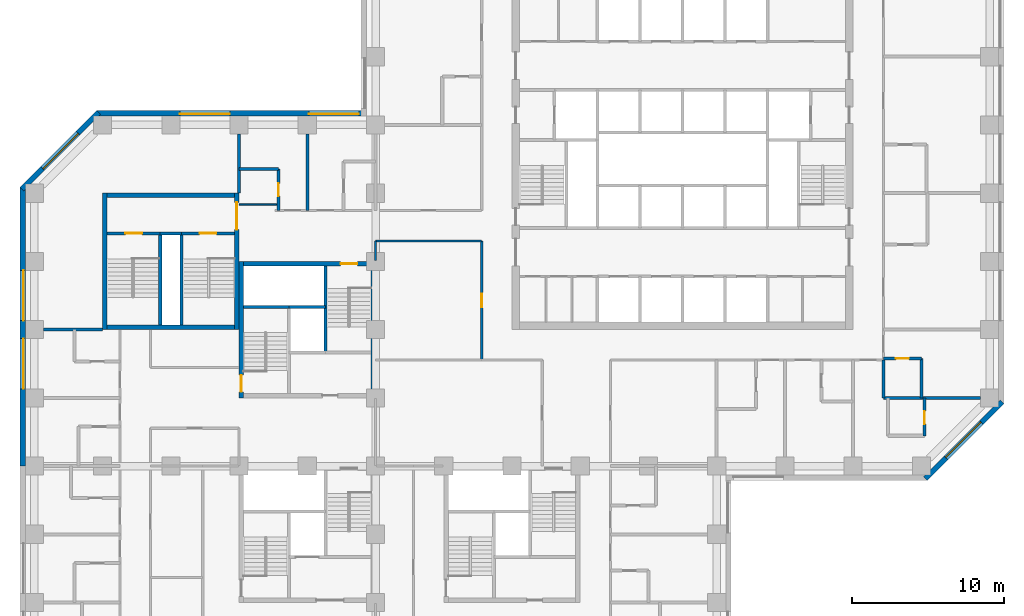
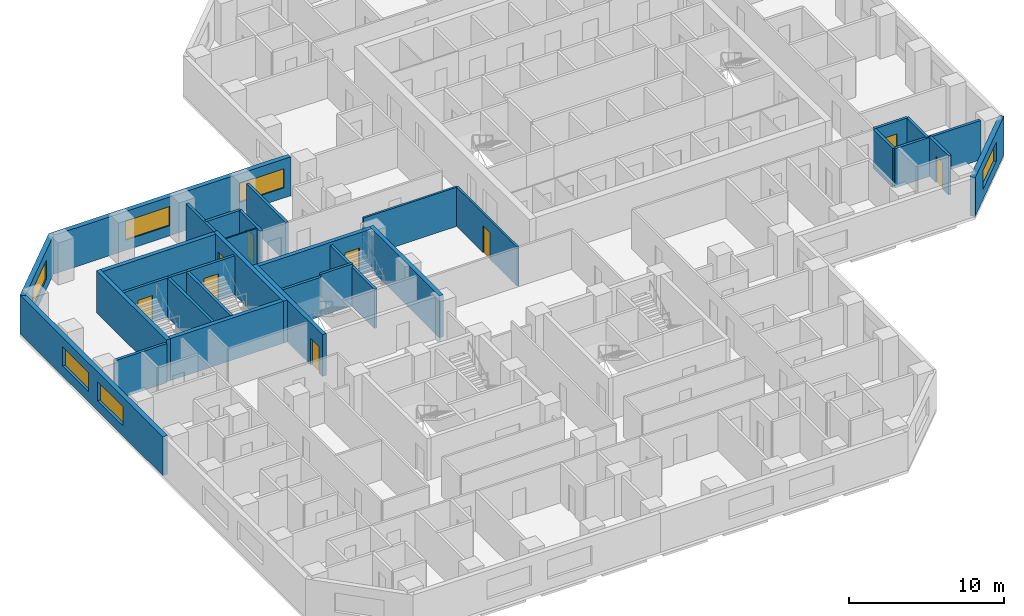
# One storey, part 6 of 12: 33 walls, 9 doors, 6 windows, 15 openings.
"""IFC4 building model written with IfcOpenShell, lengths in metres."""

from ifc_helpers import new_model, si_unit, direction, frame, frame_2d, origin, place, context, subcontext, project, spatial, rectangle, extrude, material, layer, layer_set, constituent, constituent_set, type_object, element, fill, save


model = new_model("IFC4")

# Units and contexts
model_context = context("Model", 3, precision=1e-05, world=origin(), true_north=direction((0.0, 1.0)))
body_context = subcontext(model_context, "Body", "Model", "MODEL_VIEW")
ifc_project = project(units=[si_unit("LENGTHUNIT", "METRE"), si_unit("AREAUNIT", "SQUARE_METRE"), si_unit("VOLUMEUNIT", "CUBIC_METRE"), si_unit("PLANEANGLEUNIT", "RADIAN"), si_unit("MASSUNIT", "GRAM", prefix="KILO")], contexts=[model_context])

# Site, building, storey
site_placement = place(None, origin())
site = spatial("IfcSite", under=ifc_project, at=site_placement, CompositionType="ELEMENT")
building_placement = place(site_placement, origin())
building = spatial("IfcBuilding", under=site, at=building_placement, Name="Quoin Convention Tower", CompositionType="ELEMENT")
storey_placement = place(building_placement, frame((0.0, 0.0, 59.39990234375)))
storey = spatial("IfcBuildingStorey", under=building, at=storey_placement, Name="L15", CompositionType="ELEMENT", Elevation=59.39990234375)

# Wall, opening, window
ifc_material_1 = material(Name="Brick masonry", Category="masonry")
ifc_layer_1 = layer(ifc_material_1, 0.35009765625)
ifc_layer_set_1 = layer_set([ifc_layer_1], Name="Brick masonry")
wall_type_1 = type_object("IfcWallType", Name="Brick facade wall", PredefinedType="STANDARD", material=ifc_layer_set_1)
wall_1_placement = place(storey_placement, frame((72.269775390625, 39.673583984375, 0.0), z_axis=(0.0, 0.0, 1.0), x_axis=(0.707106781187, 0.707106781187, 0.0)))
wall_1 = element("IfcWall", 1, at=wall_1_placement, inside=storey, type_object=wall_type_1, Name="fw-L15-72000_40500", PredefinedType="STANDARD", context=body_context, shape_type="SweptSolid", body=[
    extrude(rectangle(XDim=7.151123046875, YDim=0.35009765625, at=frame_2d((3.57568359375, 0.0))), origin(), (0.0, 0.0, 1.0), 3.05517578125),
])
opening_1_placement = place(wall_1_placement, frame((1.925537109375, 0.0, 0.800048828125)))
opening_1 = element("IfcOpeningElement", 2, at=opening_1_placement, cuts=wall_1, Name="Opening W-01", PredefinedType="OPENING", context=body_context, shape_type="SweptSolid", body=[
    extrude(rectangle(XDim=3.300048828125, YDim=1.5, at=frame_2d((1.64990234375, 0.75))), frame((0.0, 0.18505859375, 0.0), z_axis=(0.0, -1.0, 0.0), x_axis=(1.0, 0.0, 0.0)), (0.0, 0.0, 1.0), 0.3701171875),
])
ifc_material_2 = material(Name="Aluminium", Category="aluminium")
ifc_constituent_1 = constituent(ifc_material_2, Name="Frame")
ifc_material_3 = material(Name="Insulated glass", Category="glass")
ifc_constituent_2 = constituent(ifc_material_3, Name="Glazing")
ifc_constituent_set = constituent_set(constituents=[ifc_constituent_1, ifc_constituent_2], Name="Aluminium")
window_type = type_object("IfcWindowType", Name="Hotel strip window", PartitioningType="DOUBLE_PANEL_VERTICAL", PredefinedType="WINDOW", material=ifc_constituent_set)
window_1_placement = place(opening_1_placement, origin())
window_1 = element("IfcWindow", 3, at=window_1_placement, inside=storey, type_object=window_type, Name="win-L15-74798_42202", OverallHeight=1.5, OverallWidth=3.300048828125, PartitioningType="SINGLE_PANEL", PredefinedType="WINDOW", context=body_context, shape_type="SweptSolid", body=[
    extrude(rectangle(XDim=3.300048828125, YDim=1.5, at=frame_2d((1.64990234375, 0.75))), frame((0.0, 0.0849609375, 0.0), z_axis=(0.0, -1.0, 0.0), x_axis=(1.0, 0.0, 0.0)), (0.0, 0.0, 1.0), 0.06005859375),
])
fill(opening_1, window_1)

# Wall, openings, windows
wall_2_placement = place(storey_placement, frame((35.39990234375, 63.77490234375, 0.0), z_axis=(0.0, 0.0, 1.0), x_axis=(-1.0, 0.0, 0.0)))
wall_2 = element("IfcWall", 4, at=wall_2_placement, inside=storey, type_object=wall_type_1, Name="fw-L15-36000_63000", PredefinedType="STANDARD", context=body_context, shape_type="SweptSolid", body=[
    extrude(rectangle(XDim=17.79345703125, YDim=0.35009765625, at=frame_2d((8.896728515625, 0.0))), origin(), (0.0, 0.0, 1.0), 3.05517578125),
])
opening_2_placement = place(wall_2_placement, frame((0.5, 0.0, 0.800048828125)))
opening_2 = element("IfcOpeningElement", 5, at=opening_2_placement, cuts=wall_2, Name="Opening W-01", PredefinedType="OPENING", context=body_context, shape_type="SweptSolid", body=[
    extrude(rectangle(XDim=3.300048828125, YDim=1.5, at=frame_2d((1.64990234375, 0.75))), frame((0.0, 0.18505859375, 0.0), z_axis=(0.0, -1.0, 0.0), x_axis=(1.0, 0.0, 0.0)), (0.0, 0.0, 1.0), 0.3701171875),
])
opening_3_placement = place(wall_2_placement, frame((9.0, 0.0, 0.800048828125)))
opening_3 = element("IfcOpeningElement", 6, at=opening_3_placement, cuts=wall_2, Name="Opening W-01", PredefinedType="OPENING", context=body_context, shape_type="SweptSolid", body=[
    extrude(rectangle(XDim=3.300048828125, YDim=1.5, at=frame_2d((1.64990234375, 0.75))), frame((0.0, 0.18505859375, 0.0), z_axis=(0.0, -1.0, 0.0), x_axis=(1.0, 0.0, 0.0)), (0.0, 0.0, 1.0), 0.3701171875),
])
window_2_placement = place(opening_2_placement, origin())
window_2 = element("IfcWindow", 7, at=window_2_placement, inside=storey, type_object=window_type, Name="win-L15-33750_63775", OverallHeight=1.5, OverallWidth=3.300048828125, PartitioningType="SINGLE_PANEL", PredefinedType="WINDOW", context=body_context, shape_type="SweptSolid", body=[
    extrude(rectangle(XDim=3.300048828125, YDim=1.5, at=frame_2d((1.64990234375, 0.75))), frame((0.0, 0.0849609375, 0.0), z_axis=(0.0, -1.0, 0.0), x_axis=(1.0, 0.0, 0.0)), (0.0, 0.0, 1.0), 0.06005859375),
])
fill(opening_2, window_2)
window_3_placement = place(opening_3_placement, origin())
window_3 = element("IfcWindow", 8, at=window_3_placement, inside=storey, type_object=window_type, Name="win-L15-24750_63775", OverallHeight=1.5, OverallWidth=3.300048828125, PartitioningType="SINGLE_PANEL", PredefinedType="WINDOW", context=body_context, shape_type="SweptSolid", body=[
    extrude(rectangle(XDim=3.300048828125, YDim=1.5, at=frame_2d((1.64990234375, 0.75))), frame((0.0, 0.0849609375, 0.0), z_axis=(0.0, -1.0, 0.0), x_axis=(1.0, 0.0, 0.0)), (0.0, 0.0, 1.0), 0.06005859375),
])
fill(opening_3, window_3)

# Wall, opening, window
wall_3_placement = place(storey_placement, frame((17.730224609375, 63.826416015625, 0.0), z_axis=(0.0, 0.0, 1.0), x_axis=(-0.707106781187, -0.707106781187, 0.0)))
wall_3 = element("IfcWall", 9, at=wall_3_placement, inside=storey, type_object=wall_type_1, Name="fw-L15-18000_63000", PredefinedType="STANDARD", context=body_context, shape_type="SweptSolid", body=[
    extrude(rectangle(XDim=7.151123046875, YDim=0.35009765625, at=frame_2d((3.57568359375, 0.0))), origin(), (0.0, 0.0, 1.0), 3.05517578125),
])
opening_4_placement = place(wall_3_placement, frame((1.925537109375, 0.0, 0.800048828125)))
opening_4 = element("IfcOpeningElement", 10, at=opening_4_placement, cuts=wall_3, Name="Opening W-01", PredefinedType="OPENING", context=body_context, shape_type="SweptSolid", body=[
    extrude(rectangle(XDim=3.300048828125, YDim=1.5, at=frame_2d((1.64990234375, 0.75))), frame((0.0, 0.18505859375, 0.0), z_axis=(0.0, -1.0, 0.0), x_axis=(1.0, 0.0, 0.0)), (0.0, 0.0, 1.0), 0.3701171875),
])
window_4_placement = place(opening_4_placement, origin())
window_4 = element("IfcWindow", 11, at=window_4_placement, inside=storey, type_object=window_type, Name="win-L15-15202_61298", OverallHeight=1.5, OverallWidth=3.300048828125, PartitioningType="SINGLE_PANEL", PredefinedType="WINDOW", context=body_context, shape_type="SweptSolid", body=[
    extrude(rectangle(XDim=3.300048828125, YDim=1.5, at=frame_2d((1.64990234375, 0.75))), frame((0.0, 0.0849609375, 0.0), z_axis=(0.0, -1.0, 0.0), x_axis=(1.0, 0.0, 0.0)), (0.0, 0.0, 1.0), 0.06005859375),
])
fill(opening_4, window_4)

# Wall, openings, windows
wall_4_placement = place(storey_placement, frame((12.72509765625, 58.8935546875, 0.0), z_axis=(0.0, 0.0, 1.0), x_axis=(0.0, -1.0, 0.0)))
wall_4 = element("IfcWall", 12, at=wall_4_placement, inside=storey, type_object=wall_type_1, Name="fw-L15-13500_58500", PredefinedType="STANDARD", context=body_context, shape_type="SweptSolid", body=[
    extrude(rectangle(XDim=18.3935546875, YDim=0.35009765625, at=frame_2d((9.19677734375, 0.0))), origin(), (0.0, 0.0, 1.0), 3.05517578125),
])
opening_5_placement = place(wall_4_placement, frame((5.493408203125, 0.0, 0.800048828125)))
opening_5 = element("IfcOpeningElement", 13, at=opening_5_placement, cuts=wall_4, Name="Opening W-01", PredefinedType="OPENING", context=body_context, shape_type="SweptSolid", body=[
    extrude(rectangle(XDim=3.300048828125, YDim=1.5, at=frame_2d((1.64990234375, 0.75))), frame((0.0, 0.18505859375, 0.0), z_axis=(0.0, -1.0, 0.0), x_axis=(1.0, 0.0, 0.0)), (0.0, 0.0, 1.0), 0.3701171875),
])
opening_6_placement = place(wall_4_placement, frame((9.993408203125, 0.0, 0.800048828125)))
opening_6 = element("IfcOpeningElement", 14, at=opening_6_placement, cuts=wall_4, Name="Opening W-01", PredefinedType="OPENING", context=body_context, shape_type="SweptSolid", body=[
    extrude(rectangle(XDim=3.300048828125, YDim=1.5, at=frame_2d((1.64990234375, 0.75))), frame((0.0, 0.18505859375, 0.0), z_axis=(0.0, -1.0, 0.0), x_axis=(1.0, 0.0, 0.0)), (0.0, 0.0, 1.0), 0.3701171875),
])
window_5_placement = place(opening_5_placement, origin())
window_5 = element("IfcWindow", 15, at=window_5_placement, inside=storey, type_object=window_type, Name="win-L15-12725_51750", OverallHeight=1.5, OverallWidth=3.300048828125, PartitioningType="SINGLE_PANEL", PredefinedType="WINDOW", context=body_context, shape_type="SweptSolid", body=[
    extrude(rectangle(XDim=3.300048828125, YDim=1.5, at=frame_2d((1.64990234375, 0.75))), frame((0.0, 0.0849609375, 0.0), z_axis=(0.0, -1.0, 0.0), x_axis=(1.0, 0.0, 0.0)), (0.0, 0.0, 1.0), 0.06005859375),
])
fill(opening_5, window_5)
window_6_placement = place(opening_6_placement, origin())
window_6 = element("IfcWindow", 16, at=window_6_placement, inside=storey, type_object=window_type, Name="win-L15-12725_47250", OverallHeight=1.5, OverallWidth=3.300048828125, PartitioningType="SINGLE_PANEL", PredefinedType="WINDOW", context=body_context, shape_type="SweptSolid", body=[
    extrude(rectangle(XDim=3.300048828125, YDim=1.5, at=frame_2d((1.64990234375, 0.75))), frame((0.0, 0.0849609375, 0.0), z_axis=(0.0, -1.0, 0.0), x_axis=(1.0, 0.0, 0.0)), (0.0, 0.0, 1.0), 0.06005859375),
])
fill(opening_6, window_6)

# Walls
ifc_material_4 = material(Name="Concrete C50", Category="concrete")
ifc_layer_2 = layer(ifc_material_4, 0.199951171875)
ifc_layer_set_2 = layer_set([ifc_layer_2], Name="Concrete C50")
wall_type_2 = type_object("IfcWallType", Name="Core shaft wall", PredefinedType="SOLIDWALL", material=ifc_layer_set_2)
wall_5_placement = place(storey_placement, frame((27.300048828125, 51.0, 0.0), z_axis=(0.0, 0.0, 1.0), x_axis=(1.0, 0.0, 0.0)))
element("IfcWall", 17, at=wall_5_placement, inside=storey, type_object=wall_type_2, Name="cr-P2-L15-h6000_300", PredefinedType="SOLIDWALL", context=body_context, shape_type="SweptSolid", body=[
    extrude(rectangle(XDim=3.0, YDim=0.199951171875, at=frame_2d((1.5, 0.0))), origin(), (0.0, 0.0, 1.0), 3.080078125),
])
wall_6_placement = place(storey_placement, frame((32.699951171875, 48.0, 0.0), z_axis=(0.0, 0.0, 1.0), x_axis=(0.0, 1.0, 0.0)))
element("IfcWall", 18, at=wall_6_placement, inside=storey, type_object=wall_type_2, Name="cr-P2-L15-v5700_3000", PredefinedType="SOLIDWALL", context=body_context, shape_type="SweptSolid", body=[
    extrude(rectangle(XDim=5.699951171875, YDim=0.199951171875, at=frame_2d((2.85009765625, 0.0))), origin(), (0.0, 0.0, 1.0), 3.080078125),
])
wall_7_placement = place(storey_placement, frame((21.800048828125, 55.85009765625, 0.0), z_axis=(0.0, 0.0, 1.0), x_axis=(1.0, 0.0, 0.0)))
element("IfcWall", 19, at=wall_7_placement, inside=storey, type_object=wall_type_2, Name="cr-P6-L15-h6350_3800", PredefinedType="SOLIDWALL", context=body_context, shape_type="SweptSolid", body=[
    extrude(rectangle(XDim=1.39990234375, YDim=0.199951171875, at=frame_2d((0.699951171875, 0.0))), origin(), (0.0, 0.0, 1.0), 3.080078125),
])

# Wall, opening, door
wall_8_placement = place(storey_placement, frame((18.300048828125, 55.85009765625, 0.0), z_axis=(0.0, 0.0, 1.0), x_axis=(1.0, 0.0, 0.0)))
wall_8 = element("IfcWall", 20, at=wall_8_placement, inside=storey, type_object=wall_type_2, Name="cr-P6-L15-h6350_300", PredefinedType="SOLIDWALL", context=body_context, shape_type="SweptSolid", body=[
    extrude(rectangle(XDim=3.5, YDim=0.199951171875, at=frame_2d((1.75, 0.0))), origin(), (0.0, 0.0, 1.0), 3.080078125),
])
opening_7_placement = place(wall_8_placement, frame((1.199951171875, 0.0, 0.0)))
opening_7 = element("IfcOpeningElement", 21, at=opening_7_placement, cuts=wall_8, Name="Opening SD11", PredefinedType="OPENING", context=body_context, shape_type="SweptSolid", body=[
    extrude(rectangle(XDim=1.10009765625, YDim=2.10009765625, at=frame_2d((0.550048828125, 1.050048828125))), frame((0.0, 0.10986328125, 0.0), z_axis=(0.0, -1.0, 0.0), x_axis=(1.0, 0.0, 0.0)), (0.0, 0.0, 1.0), 0.219970703125),
])
ifc_material_5 = material(Name="Steel door leaf", Category="steel")
door_type_1 = type_object("IfcDoorType", Name="Stair door 1100 x 2100", OperationType="SINGLE_SWING_RIGHT", PredefinedType="DOOR", material=ifc_material_5)
door_1_placement = place(opening_7_placement, origin())
door_1 = element("IfcDoor", 22, at=door_1_placement, inside=storey, type_object=door_type_1, Name="cd-P6-L15-SA-R2-SD11", OperationType="SINGLE_SWING_RIGHT", OverallHeight=2.10009765625, OverallWidth=1.10009765625, PredefinedType="DOOR", context=body_context, shape_type="SweptSolid", body=[
    extrude(rectangle(XDim=1.10009765625, YDim=2.10009765625, at=frame_2d((0.550048828125, 1.050048828125))), frame((0.0, 0.02490234375, 0.0), z_axis=(0.0, -1.0, 0.0), x_axis=(1.0, 0.0, 0.0)), (0.0, 0.0, 1.0), 0.050048828125),
])
fill(opening_7, door_1)

wall_9_placement = place(storey_placement, frame((23.199951171875, 55.85009765625, 0.0), z_axis=(0.0, 0.0, 1.0), x_axis=(1.0, 0.0, 0.0)))
wall_9 = element("IfcWall", 23, at=wall_9_placement, inside=storey, type_object=wall_type_2, Name="cr-P6-L15-h6350_5200", PredefinedType="SOLIDWALL", context=body_context, shape_type="SweptSolid", body=[
    extrude(rectangle(XDim=3.5, YDim=0.199951171875, at=frame_2d((1.75, 0.0))), origin(), (0.0, 0.0, 1.0), 3.080078125),
])
opening_8_placement = place(wall_9_placement, frame((1.199951171875, 0.0, 0.0)))
opening_8 = element("IfcOpeningElement", 24, at=opening_8_placement, cuts=wall_9, Name="Opening SD12", PredefinedType="OPENING", context=body_context, shape_type="SweptSolid", body=[
    extrude(rectangle(XDim=1.10009765625, YDim=2.10009765625, at=frame_2d((0.550048828125, 1.050048828125))), frame((0.0, 0.10986328125, 0.0), z_axis=(0.0, -1.0, 0.0), x_axis=(1.0, 0.0, 0.0)), (0.0, 0.0, 1.0), 0.219970703125),
])
door_2_placement = place(opening_8_placement, origin())
door_2 = element("IfcDoor", 25, at=door_2_placement, inside=storey, type_object=door_type_1, Name="cd-P6-L15-SB-R2-SD12", OperationType="SINGLE_SWING_RIGHT", OverallHeight=2.10009765625, OverallWidth=1.10009765625, PredefinedType="DOOR", context=body_context, shape_type="SweptSolid", body=[
    extrude(rectangle(XDim=1.10009765625, YDim=2.10009765625, at=frame_2d((0.550048828125, 1.050048828125))), frame((0.0, 0.02490234375, 0.0), z_axis=(0.0, -1.0, 0.0), x_axis=(1.0, 0.0, 0.0)), (0.0, 0.0, 1.0), 0.050048828125),
])
fill(opening_8, door_2)

# Walls
for number, where, z_axis, x_axis, name in (
    (26, (21.800048828125, 49.800048828125, 0.0), (0.0, 0.0, 1.0), (0.0, 1.0, 0.0), "cr-P6-L15-v3800_300"),
    (27, (23.199951171875, 49.800048828125, 0.0), (0.0, 0.0, 1.0), (0.0, 1.0, 0.0), "cr-P6-L15-v5200_300"),
):
    element("IfcWall", number, at=place(storey_placement, frame(where, z_axis=z_axis, x_axis=x_axis)), inside=storey, type_object=wall_type_2, Name=name, PredefinedType="SOLIDWALL", context=body_context, shape_type="SweptSolid", body=[
        extrude(rectangle(XDim=6.050048828125, YDim=0.199951171875, at=frame_2d((3.02490234375, 0.0))), origin(), (0.0, 0.0, 1.0), 3.080078125),
    ])
ifc_layer_3 = layer(ifc_material_4, 0.199951171875)
ifc_layer_set_3 = layer_set([ifc_layer_3], Name="Concrete C50")
wall_type_3 = type_object("IfcWallType", Name="Core shaft wall to the floor level over", PredefinedType="SOLIDWALL", material=ifc_layer_set_3)
wall_10_placement = place(storey_placement, frame((30.300048828125, 51.0, 0.0), z_axis=(0.0, 0.0, 1.0), x_axis=(1.0, 0.0, 0.0)))
element("IfcWall", 28, at=wall_10_placement, inside=storey, type_object=wall_type_3, Name="cr-P2-L15-h6000_3300", PredefinedType="SOLIDWALL", context=body_context, shape_type="SweptSolid", body=[
    extrude(rectangle(XDim=2.39990234375, YDim=0.199951171875, at=frame_2d((1.199951171875, 0.0))), origin(), (0.0, 0.0, 1.0), 3.300048828125),
])

# Wall, opening, door
ifc_material_6 = material(Name="Concrete C80", Category="concrete")
ifc_layer_4 = layer(ifc_material_6, 0.300048828125)
ifc_layer_set_4 = layer_set([ifc_layer_4], Name="Concrete C80")
wall_type_4 = type_object("IfcWallType", Name="RC CORE WALL 300 C80", PredefinedType="SHEAR", material=ifc_layer_set_4)
wall_11_placement = place(storey_placement, frame((27.300048828125, 53.85009765625, 0.0), z_axis=(0.0, 0.0, 1.0), x_axis=(1.0, 0.0, 0.0)))
wall_11 = element("IfcWall", 29, at=wall_11_placement, inside=storey, type_object=wall_type_4, Name="cwl-P2-L15-N", PredefinedType="SHEAR", context=body_context, shape_type="SweptSolid", body=[
    extrude(rectangle(XDim=8.39990234375, YDim=0.300048828125, at=frame_2d((4.199951171875, 0.0))), origin(), (0.0, 0.0, 1.0), 3.300048828125),
])
opening_9_placement = place(wall_11_placement, frame((6.39990234375, 0.0, 0.0)))
opening_9 = element("IfcOpeningElement", 30, at=opening_9_placement, cuts=wall_11, Name="Opening SD4", PredefinedType="OPENING", context=body_context, shape_type="SweptSolid", body=[
    extrude(rectangle(XDim=1.10009765625, YDim=2.10009765625, at=frame_2d((0.550048828125, 1.050048828125))), frame((0.0, 0.159912109375, 0.0), z_axis=(0.0, -1.0, 0.0), x_axis=(1.0, 0.0, 0.0)), (0.0, 0.0, 1.0), 0.320068359375),
])
door_3_placement = place(opening_9_placement, frame((1.10009765625, 0.0, 0.0), z_axis=(0.0, 0.0, 1.0), x_axis=(-1.0, 0.0, 0.0)))
door_3 = element("IfcDoor", 31, at=door_3_placement, inside=storey, type_object=door_type_1, Name="cd-P2-L15-SB-N", OperationType="SINGLE_SWING_LEFT", OverallHeight=2.10009765625, OverallWidth=1.10009765625, PredefinedType="DOOR", context=body_context, shape_type="SweptSolid", body=[
    extrude(rectangle(XDim=1.10009765625, YDim=2.10009765625, at=frame_2d((0.550048828125, 1.050048828125))), frame((0.0, 0.02490234375, 0.0), z_axis=(0.0, -1.0, 0.0), x_axis=(1.0, 0.0, 0.0)), (0.0, 0.0, 1.0), 0.050048828125),
])
fill(opening_9, door_3)

wall_12_placement = place(storey_placement, frame((27.14990234375, 45.0, 0.0), z_axis=(0.0, 0.0, 1.0), x_axis=(0.0, 1.0, 0.0)))
wall_12 = element("IfcWall", 32, at=wall_12_placement, inside=storey, type_object=wall_type_4, Name="cwl-P2-L15-W", PredefinedType="SHEAR", context=body_context, shape_type="SweptSolid", body=[
    extrude(rectangle(XDim=9.0, YDim=0.300048828125, at=frame_2d((4.5, 0.0))), origin(), (0.0, 0.0, 1.0), 3.300048828125),
])
opening_10_placement = place(wall_12_placement, frame((0.39990234375, 0.0, 0.0)))
opening_10 = element("IfcOpeningElement", 33, at=opening_10_placement, cuts=wall_12, Name="Opening SD3", PredefinedType="OPENING", context=body_context, shape_type="SweptSolid", body=[
    extrude(rectangle(XDim=1.10009765625, YDim=2.10009765625, at=frame_2d((0.550048828125, 1.050048828125))), frame((0.0, 0.159912109375, 0.0), z_axis=(0.0, -1.0, 0.0), x_axis=(1.0, 0.0, 0.0)), (0.0, 0.0, 1.0), 0.320068359375),
])
door_4_placement = place(opening_10_placement, frame((1.10009765625, 0.0, 0.0), z_axis=(0.0, 0.0, 1.0), x_axis=(-1.0, 0.0, 0.0)))
door_4 = element("IfcDoor", 34, at=door_4_placement, inside=storey, type_object=door_type_1, Name="cd-P2-L15-SA-W", OperationType="SINGLE_SWING_RIGHT", OverallHeight=2.10009765625, OverallWidth=1.10009765625, PredefinedType="DOOR", context=body_context, shape_type="SweptSolid", body=[
    extrude(rectangle(XDim=1.10009765625, YDim=2.10009765625, at=frame_2d((0.550048828125, 1.050048828125))), frame((0.0, 0.02490234375, 0.0), z_axis=(0.0, -1.0, 0.0), x_axis=(1.0, 0.0, 0.0)), (0.0, 0.0, 1.0), 0.050048828125),
])
fill(opening_10, door_4)

# Walls
wall_13_placement = place(storey_placement, frame((35.85009765625, 45.0, 0.0), z_axis=(0.0, 0.0, 1.0), x_axis=(0.0, 1.0, 0.0)))
element("IfcWall", 35, at=wall_13_placement, inside=storey, type_object=wall_type_4, Name="cwl-P2-L15-E", PredefinedType="SHEAR", context=body_context, shape_type="SweptSolid", body=[
    extrude(rectangle(XDim=9.0, YDim=0.300048828125, at=frame_2d((4.5, 0.0))), origin(), (0.0, 0.0, 1.0), 3.300048828125),
])
for number, where, z_axis, x_axis, name in (
    (36, (18.300048828125, 49.64990234375, 0.0), (0.0, 0.0, 1.0), (1.0, 0.0, 0.0), "cwl-P6-L15-S"),
    (37, (18.300048828125, 58.35009765625, 0.0), (0.0, 0.0, 1.0), (1.0, 0.0, 0.0), "cwl-P6-L15-N"),
):
    element("IfcWall", number, at=place(storey_placement, frame(where, z_axis=z_axis, x_axis=x_axis)), inside=storey, type_object=wall_type_4, Name=name, PredefinedType="SHEAR", context=body_context, shape_type="SweptSolid", body=[
        extrude(rectangle(XDim=8.39990234375, YDim=0.300048828125, at=frame_2d((4.199951171875, 0.0))), origin(), (0.0, 0.0, 1.0), 3.300048828125),
    ])
wall_14_placement = place(storey_placement, frame((18.14990234375, 49.5, 0.0), z_axis=(0.0, 0.0, 1.0), x_axis=(0.0, 1.0, 0.0)))
element("IfcWall", 38, at=wall_14_placement, inside=storey, type_object=wall_type_4, Name="cwl-P6-L15-W", PredefinedType="SHEAR", context=body_context, shape_type="SweptSolid", body=[
    extrude(rectangle(XDim=9.0, YDim=0.300048828125, at=frame_2d((4.5, 0.0))), origin(), (0.0, 0.0, 1.0), 3.300048828125),
])

# Wall, opening, door
wall_15_placement = place(storey_placement, frame((26.85009765625, 49.5, 0.0), z_axis=(0.0, 0.0, 1.0), x_axis=(0.0, 1.0, 0.0)))
wall_15 = element("IfcWall", 39, at=wall_15_placement, inside=storey, type_object=wall_type_4, Name="cwl-P6-L15-E", PredefinedType="SHEAR", context=body_context, shape_type="SweptSolid", body=[
    extrude(rectangle(XDim=9.0, YDim=0.300048828125, at=frame_2d((4.5, 0.0))), origin(), (0.0, 0.0, 1.0), 3.300048828125),
])
opening_11_placement = place(wall_15_placement, frame((6.60009765625, 0.0, 0.0)))
opening_11 = element("IfcOpeningElement", 40, at=opening_11_placement, cuts=wall_15, Name="Opening DCV5-54", PredefinedType="OPENING", context=body_context, shape_type="SweptSolid", body=[
    extrude(rectangle(XDim=1.800048828125, YDim=2.10009765625, at=frame_2d((0.89990234375, 1.050048828125))), frame((0.0, 0.159912109375, 0.0), z_axis=(0.0, -1.0, 0.0), x_axis=(1.0, 0.0, 0.0)), (0.0, 0.0, 1.0), 0.320068359375),
])
door_type_2 = type_object("IfcDoorType", Name="Goods lobby door 1800 x 2100", OperationType="SINGLE_SWING_LEFT", PredefinedType="DOOR", material=ifc_material_5)
door_5_placement = place(opening_11_placement, origin())
door_5 = element("IfcDoor", 41, at=door_5_placement, inside=storey, type_object=door_type_2, Name="cd-P6-L15-R2-E", OperationType="SINGLE_SWING_LEFT", OverallHeight=2.10009765625, OverallWidth=1.800048828125, PredefinedType="DOOR", context=body_context, shape_type="SweptSolid", body=[
    extrude(rectangle(XDim=1.800048828125, YDim=2.10009765625, at=frame_2d((0.89990234375, 1.050048828125))), frame((0.0, 0.02490234375, 0.0), z_axis=(0.0, -1.0, 0.0), x_axis=(1.0, 0.0, 0.0)), (0.0, 0.0, 1.0), 0.050048828125),
])
fill(opening_11, door_5)

ifc_layer_5 = layer(ifc_material_4, 0.199951171875)
ifc_layer_set_5 = layer_set([ifc_layer_5], Name="Concrete C50")
wall_type_5 = type_object("IfcWallType", Name="RC party wall", PredefinedType="SOLIDWALL", material=ifc_layer_set_5)
wall_16_placement = place(storey_placement, frame((72.199951171875, 42.5, 0.0), z_axis=(0.0, 0.0, 1.0), x_axis=(0.0, 1.0, 0.0)))
wall_16 = element("IfcWall", 42, at=wall_16_placement, inside=storey, type_object=wall_type_5, Name="pw-L15-090", PredefinedType="SOLIDWALL", context=body_context, shape_type="SweptSolid", body=[
    extrude(rectangle(XDim=2.5, YDim=0.199951171875, at=frame_2d((1.25, 0.0))), origin(), (0.0, 0.0, 1.0), 3.080078125),
])
opening_12_placement = place(wall_16_placement, frame((0.77490234375, 0.0, 0.0)))
opening_12 = element("IfcOpeningElement", 43, at=opening_12_placement, cuts=wall_16, Name="Opening DHOTEL-D-56", PredefinedType="OPENING", context=body_context, shape_type="SweptSolid", body=[
    extrude(rectangle(XDim=0.85009765625, YDim=2.10009765625, at=frame_2d((0.425048828125, 1.050048828125))), frame((0.0, 0.10986328125, 0.0), z_axis=(0.0, -1.0, 0.0), x_axis=(1.0, 0.0, 0.0)), (0.0, 0.0, 1.0), 0.219970703125),
])
door_type_3 = type_object("IfcDoorType", Name="Bathroom door", OperationType="SINGLE_SWING_LEFT", PredefinedType="DOOR", material=ifc_material_5)
door_6_placement = place(opening_12_placement, frame((0.85009765625, 0.0, 0.0), z_axis=(0.0, 0.0, 1.0), x_axis=(-1.0, 0.0, 0.0)))
door_6 = element("IfcDoor", 44, at=door_6_placement, inside=storey, type_object=door_type_3, Name="dr-L15-070", OperationType="SINGLE_SWING_LEFT", OverallHeight=2.10009765625, OverallWidth=0.85009765625, PredefinedType="DOOR", context=body_context, shape_type="SweptSolid", body=[
    extrude(rectangle(XDim=0.85009765625, YDim=2.10009765625, at=frame_2d((0.425048828125, 1.050048828125))), frame((0.0, 0.02490234375, 0.0), z_axis=(0.0, -1.0, 0.0), x_axis=(1.0, 0.0, 0.0)), (0.0, 0.0, 1.0), 0.050048828125),
])
fill(opening_12, door_6)

# Walls
wall_17_placement = place(storey_placement, frame((69.5, 45.0, 0.0), z_axis=(0.0, 0.0, 1.0), x_axis=(1.0, 0.0, 0.0)))
element("IfcWall", 45, at=wall_17_placement, inside=storey, type_object=wall_type_5, Name="pw-L15-097", PredefinedType="SOLIDWALL", context=body_context, shape_type="SweptSolid", body=[
    extrude(rectangle(XDim=6.39990234375, YDim=0.199951171875, at=frame_2d((3.199951171875, 0.0))), origin(), (0.0, 0.0, 1.0), 3.080078125),
])
wall_18_placement = place(storey_placement, frame((69.5, 45.0, 0.0), z_axis=(0.0, 0.0, 1.0), x_axis=(0.0, 1.0, 0.0)))
element("IfcWall", 46, at=wall_18_placement, inside=storey, type_object=wall_type_5, Name="pw-L15-098", PredefinedType="SOLIDWALL", context=body_context, shape_type="SweptSolid", body=[
    extrude(rectangle(XDim=2.5, YDim=0.199951171875, at=frame_2d((1.25, 0.0))), origin(), (0.0, 0.0, 1.0), 3.080078125),
])
wall_19_placement = place(storey_placement, frame((72.0, 45.0, 0.0), z_axis=(0.0, 0.0, 1.0), x_axis=(0.0, 1.0, 0.0)))
element("IfcWall", 47, at=wall_19_placement, inside=storey, type_object=wall_type_5, Name="pw-L15-099", PredefinedType="SOLIDWALL", context=body_context, shape_type="SweptSolid", body=[
    extrude(rectangle(XDim=2.60009765625, YDim=0.199951171875, at=frame_2d((1.300048828125, 0.0))), origin(), (0.0, 0.0, 1.0), 3.080078125),
])

# Wall, opening, door
wall_20_placement = place(storey_placement, frame((69.5, 47.60009765625, 0.0), z_axis=(0.0, 0.0, 1.0), x_axis=(1.0, 0.0, 0.0)))
wall_20 = element("IfcWall", 48, at=wall_20_placement, inside=storey, type_object=wall_type_5, Name="pw-L15-102", PredefinedType="SOLIDWALL", context=body_context, shape_type="SweptSolid", body=[
    extrude(rectangle(XDim=2.5, YDim=0.199951171875, at=frame_2d((1.25, 0.0))), origin(), (0.0, 0.0, 1.0), 3.080078125),
])
opening_13_placement = place(wall_20_placement, frame((0.824951171875, 0.0, 0.0)))
opening_13 = element("IfcOpeningElement", 49, at=opening_13_placement, cuts=wall_20, Name="Opening DHOTEL-D-61", PredefinedType="OPENING", context=body_context, shape_type="SweptSolid", body=[
    extrude(rectangle(XDim=0.85009765625, YDim=2.10009765625, at=frame_2d((0.425048828125, 1.050048828125))), frame((0.0, 0.10986328125, 0.0), z_axis=(0.0, -1.0, 0.0), x_axis=(1.0, 0.0, 0.0)), (0.0, 0.0, 1.0), 0.219970703125),
])
door_7_placement = place(opening_13_placement, frame((0.85009765625, 0.0, 0.0), z_axis=(0.0, 0.0, 1.0), x_axis=(-1.0, 0.0, 0.0)))
door_7 = element("IfcDoor", 50, at=door_7_placement, inside=storey, type_object=door_type_3, Name="dr-L15-054", OperationType="SINGLE_SWING_RIGHT", OverallHeight=2.10009765625, OverallWidth=0.85009765625, PredefinedType="DOOR", context=body_context, shape_type="SweptSolid", body=[
    extrude(rectangle(XDim=0.85009765625, YDim=2.10009765625, at=frame_2d((0.425048828125, 1.050048828125))), frame((0.0, 0.02490234375, 0.0), z_axis=(0.0, -1.0, 0.0), x_axis=(1.0, 0.0, 0.0)), (0.0, 0.0, 1.0), 0.050048828125),
])
fill(opening_13, door_7)

# Walls
for number, where, z_axis, x_axis, name in (
    (51, (14.10009765625, 49.5, 0.0), (0.0, 0.0, 1.0), (1.0, 0.0, 0.0), "pw-L15-103"),
    (52, (27.0, 58.5, 0.0), (0.0, 0.0, 1.0), (0.0, 1.0, 0.0), "pw-L15-112"),
):
    element("IfcWall", number, at=place(storey_placement, frame(where, z_axis=z_axis, x_axis=x_axis)), inside=storey, type_object=wall_type_5, Name=name, PredefinedType="SOLIDWALL", context=body_context, shape_type="SweptSolid", body=[
        extrude(rectangle(XDim=3.89990234375, YDim=0.199951171875, at=frame_2d((1.949951171875, 0.0))), origin(), (0.0, 0.0, 1.0), 3.080078125),
    ])

# Wall, opening, door
wall_21_placement = place(storey_placement, frame((29.60009765625, 57.35009765625, 0.0), z_axis=(0.0, 0.0, 1.0), x_axis=(0.0, 1.0, 0.0)))
wall_21 = element("IfcWall", 53, at=wall_21_placement, inside=storey, type_object=wall_type_5, Name="pw-L15-113", PredefinedType="SOLIDWALL", context=body_context, shape_type="SweptSolid", body=[
    extrude(rectangle(XDim=2.75, YDim=0.199951171875, at=frame_2d((1.375, 0.0))), origin(), (0.0, 0.0, 1.0), 3.080078125),
])
opening_14_placement = place(wall_21_placement, frame((0.949951171875, 0.0, 0.0)))
opening_14 = element("IfcOpeningElement", 54, at=opening_14_placement, cuts=wall_21, Name="Opening DHOTEL-D-63", PredefinedType="OPENING", context=body_context, shape_type="SweptSolid", body=[
    extrude(rectangle(XDim=0.85009765625, YDim=2.10009765625, at=frame_2d((0.425048828125, 1.050048828125))), frame((0.0, 0.10986328125, 0.0), z_axis=(0.0, -1.0, 0.0), x_axis=(1.0, 0.0, 0.0)), (0.0, 0.0, 1.0), 0.219970703125),
])
door_8_placement = place(opening_14_placement, frame((0.85009765625, 0.0, 0.0), z_axis=(0.0, 0.0, 1.0), x_axis=(-1.0, 0.0, 0.0)))
door_8 = element("IfcDoor", 55, at=door_8_placement, inside=storey, type_object=door_type_3, Name="dr-L15-034", OperationType="SINGLE_SWING_RIGHT", OverallHeight=2.10009765625, OverallWidth=0.85009765625, PredefinedType="DOOR", context=body_context, shape_type="SweptSolid", body=[
    extrude(rectangle(XDim=0.85009765625, YDim=2.10009765625, at=frame_2d((0.425048828125, 1.050048828125))), frame((0.0, 0.02490234375, 0.0), z_axis=(0.0, -1.0, 0.0), x_axis=(1.0, 0.0, 0.0)), (0.0, 0.0, 1.0), 0.050048828125),
])
fill(opening_14, door_8)

# Walls
wall_22_placement = place(storey_placement, frame((31.5, 57.35009765625, 0.0), z_axis=(0.0, 0.0, 1.0), x_axis=(0.0, 1.0, 0.0)))
element("IfcWall", 56, at=wall_22_placement, inside=storey, type_object=wall_type_5, Name="pw-L15-114", PredefinedType="SOLIDWALL", context=body_context, shape_type="SweptSolid", body=[
    extrude(rectangle(XDim=5.0498046875, YDim=0.199951171875, at=frame_2d((2.52490234375, 0.0))), origin(), (0.0, 0.0, 1.0), 3.080078125),
])
wall_23_placement = place(storey_placement, frame((27.0, 60.10009765625, 0.0), z_axis=(0.0, 0.0, 1.0), x_axis=(1.0, 0.0, 0.0)))
element("IfcWall", 57, at=wall_23_placement, inside=storey, type_object=wall_type_5, Name="pw-L15-121", PredefinedType="SOLIDWALL", context=body_context, shape_type="SweptSolid", body=[
    extrude(rectangle(XDim=2.60009765625, YDim=0.199951171875, at=frame_2d((1.300048828125, 0.0))), origin(), (0.0, 0.0, 1.0), 3.080078125),
])
ifc_material_7 = material(Name="Plasterboard")
ifc_layer_6 = layer(ifc_material_7, 0.012451171875, Name="Finish")
ifc_material_8 = material(Name="Steel stud framing", Category="steel")
ifc_layer_7 = layer(ifc_material_8, 0.074951171875, Name="Structure")
ifc_layer_8 = layer(ifc_material_7, 0.012451171875, Name="Finish")
ifc_layer_set_6 = layer_set([ifc_layer_6, ifc_layer_7, ifc_layer_8], Name="Steel stud framing")
wall_type_6 = type_object("IfcWallType", Name="bathroom partition", PredefinedType="PARTITIONING", material=ifc_layer_set_6)
wall_24_placement = place(storey_placement, frame((27.0, 57.75, 0.0), z_axis=(0.0, 0.0, 1.0), x_axis=(1.0, 0.0, 0.0)))
element("IfcWall", 58, at=wall_24_placement, inside=storey, type_object=wall_type_6, Name="pw-L15-w01", PredefinedType="PARTITIONING", context=body_context, shape_type="SweptSolid", body=[
    extrude(rectangle(XDim=2.47998046875, YDim=0.10009765625, at=frame_2d((1.239990234375, 0.0))), origin(), (0.0, 0.0, 1.0), 3.080078125),
])

# Wall, opening, door
ifc_layer_9 = layer(ifc_material_7, 0.012451171875, Name="Finish")
ifc_layer_10 = layer(ifc_material_8, 0.125, Name="Structure")
ifc_layer_11 = layer(ifc_material_7, 0.012451171875, Name="Finish")
ifc_layer_set_7 = layer_set([ifc_layer_9, ifc_layer_10, ifc_layer_11], Name="Steel stud framing")
wall_type_7 = type_object("IfcWallType", Name="corridor partition", PredefinedType="PARTITIONING", material=ifc_layer_set_7)
wall_25_placement = place(storey_placement, frame((43.0, 47.5, 0.0), z_axis=(0.0, 0.0, 1.0), x_axis=(0.0, 1.0, 0.0)))
wall_25 = element("IfcWall", 59, at=wall_25_placement, inside=storey, type_object=wall_type_7, Name="pw-L15-029", PredefinedType="PARTITIONING", context=body_context, shape_type="SweptSolid", body=[
    extrude(rectangle(XDim=7.85009765625, YDim=0.14990234375, at=frame_2d((3.925048828125, 0.0))), origin(), (0.0, 0.0, 1.0), 3.080078125),
])
opening_15_placement = place(wall_25_placement, frame((3.47509765625, 0.0, 0.0)))
opening_15 = element("IfcOpeningElement", 60, at=opening_15_placement, cuts=wall_25, Name="Opening DHOTEL-D-24", PredefinedType="OPENING", context=body_context, shape_type="SweptSolid", body=[
    extrude(rectangle(XDim=0.89990234375, YDim=2.10009765625, at=frame_2d((0.449951171875, 1.050048828125))), frame((0.0, 0.0849609375, 0.0), z_axis=(0.0, -1.0, 0.0), x_axis=(1.0, 0.0, 0.0)), (0.0, 0.0, 1.0), 0.169921875),
])
door_type_4 = type_object("IfcDoorType", Name="Toilet door", OperationType="SINGLE_SWING_LEFT", PredefinedType="DOOR", material=ifc_material_5)
door_9_placement = place(opening_15_placement, origin())
door_9 = element("IfcDoor", 61, at=door_9_placement, inside=storey, type_object=door_type_4, Name="dr-L15-077", OperationType="SINGLE_SWING_RIGHT", OverallHeight=2.10009765625, OverallWidth=0.89990234375, PredefinedType="DOOR", context=body_context, shape_type="SweptSolid", body=[
    extrude(rectangle(XDim=0.89990234375, YDim=2.10009765625, at=frame_2d((0.449951171875, 1.050048828125))), frame((0.0, 0.02490234375, 0.0), z_axis=(0.0, -1.0, 0.0), x_axis=(1.0, 0.0, 0.0)), (0.0, 0.0, 1.0), 0.050048828125),
])
fill(opening_15, door_9)

# Walls
wall_26_placement = place(storey_placement, frame((36.0, 55.35009765625, 0.0), z_axis=(0.0, 0.0, 1.0), x_axis=(1.0, 0.0, 0.0)))
element("IfcWall", 62, at=wall_26_placement, inside=storey, type_object=wall_type_7, Name="pw-L15-035", PredefinedType="PARTITIONING", context=body_context, shape_type="SweptSolid", body=[
    extrude(rectangle(XDim=7.0, YDim=0.14990234375, at=frame_2d((3.5, 0.0))), origin(), (0.0, 0.0, 1.0), 3.080078125),
])
ifc_layer_12 = layer(ifc_material_7, 0.012451171875, Name="Finish")
ifc_layer_13 = layer(ifc_material_8, 0.125, Name="Structure")
ifc_layer_14 = layer(ifc_material_7, 0.012451171875, Name="Finish")
ifc_layer_set_8 = layer_set([ifc_layer_12, ifc_layer_13, ifc_layer_14], Name="Steel stud framing")
wall_type_8 = type_object("IfcWallType", Name="corridor partition under beam 750", PredefinedType="PARTITIONING", material=ifc_layer_set_8)
wall_27_placement = place(storey_placement, frame((36.0, 54.050048828125, 0.0), z_axis=(0.0, 0.0, 1.0), x_axis=(0.0, 1.0, 0.0)))
element("IfcWall", 63, at=wall_27_placement, inside=storey, type_object=wall_type_8, Name="pw-L15-033", PredefinedType="PARTITIONING", context=body_context, shape_type="SweptSolid", body=[
    extrude(rectangle(XDim=1.300048828125, YDim=0.14990234375, at=frame_2d((0.64990234375, 0.0))), origin(), (0.0, 0.0, 1.0), 2.330078125),
])

save(model, "model.ifc")
